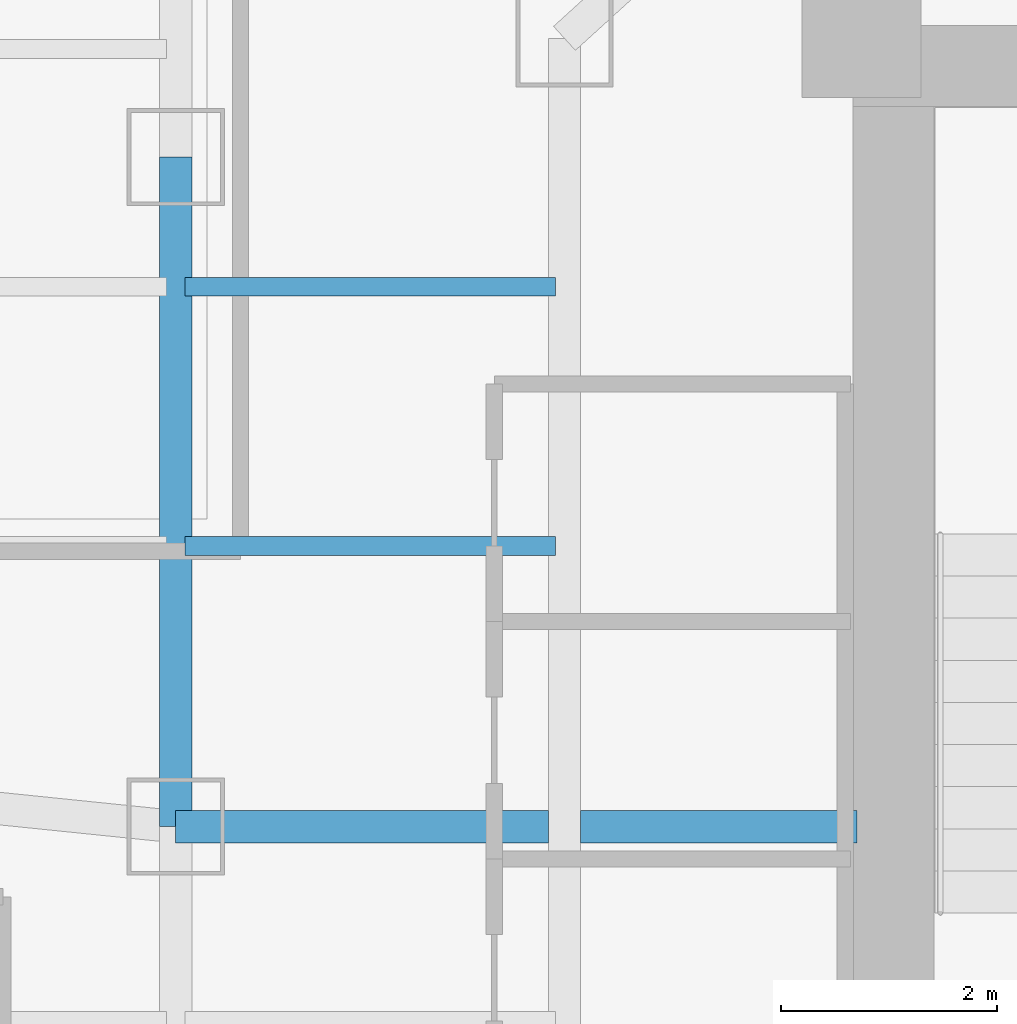
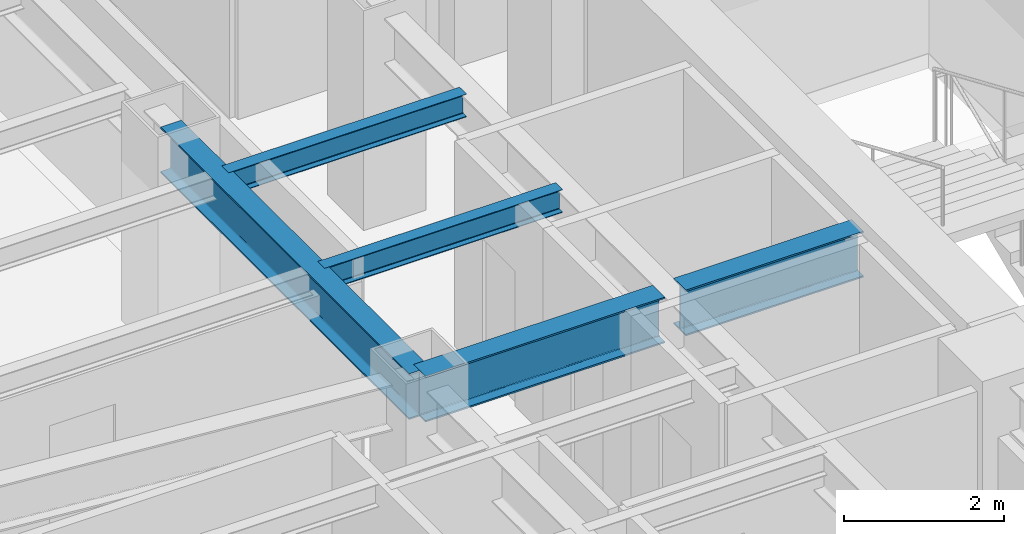
# One storey, part 16 of 31: 5 beams.
"""IFC4 building model written with IfcOpenShell, lengths in metres."""

from ifc_helpers import new_model, si_unit, direction, frame, origin, origin_2d, place, context, subcontext, project, spatial, i_section, extrude, material, material_profile, profile_set, type_object, element, save


model = new_model("IFC4")

# Units and contexts
model_context = context("Model", 3, precision=1e-05, world=origin(), true_north=direction((0.0, 1.0)))
body_context = subcontext(model_context, "Body", "Model", "MODEL_VIEW")
ifc_project = project(units=[si_unit("LENGTHUNIT", "METRE"), si_unit("AREAUNIT", "SQUARE_METRE"), si_unit("VOLUMEUNIT", "CUBIC_METRE"), si_unit("PLANEANGLEUNIT", "RADIAN"), si_unit("MASSUNIT", "GRAM", prefix="KILO")], contexts=[model_context])

# Site, building, storey
site_placement = place(None, origin())
site = spatial("IfcSite", under=ifc_project, at=site_placement, CompositionType="ELEMENT")
building_placement = place(site_placement, origin())
building = spatial("IfcBuilding", under=site, at=building_placement, Name="Hatsunagi Terrace Concourse", CompositionType="ELEMENT")
storey_placement = place(building_placement, frame((0.0, 0.0, 77.949951171875)))
storey = spatial("IfcBuildingStorey", under=building, at=storey_placement, Name="L20", CompositionType="ELEMENT", Elevation=77.949951171875)

# Beams
ifc_material_1 = material(Name="Steel SN490B", Category="steel")
ifc_material_profile_1 = material_profile(ifc_material_1, i_section(OverallWidth=0.300048828125, OverallDepth=0.699951171875, WebThickness=0.012939453125, FlangeThickness=0.02392578125, FilletRadius=0.02197265625, at=origin_2d()), Name="H-700x300x13x24")
ifc_profile_set_1 = profile_set([ifc_material_profile_1], Name="Steel SN490B")
beam_type_1 = type_object("IfcBeamType", Name="HotelFloorGirder_H_700x300", PredefinedType="BEAM", material=ifc_profile_set_1)
beam_1_placement = place(storey_placement, frame((19.199951171875, 36.0, 2.780029296875), z_axis=(0.0, 1.0, 0.0), x_axis=(-1.0, 0.0, 0.0)))
element("IfcBeam", 1, at=beam_1_placement, inside=storey, type_object=beam_type_1, Name="Beam G-04 BM-L20-NS-19-36", PredefinedType="BEAM", context=body_context, shape_type="SweptSolid", body=[
    extrude(i_section(OverallWidth=0.300048828125, OverallDepth=0.699951171875, WebThickness=0.012939453125, FlangeThickness=0.02392578125, FilletRadius=0.02197265625, at=origin_2d()), origin(), (0.0, 0.0, 1.0), 6.199951171875),
])
beam_2_placement = place(storey_placement, frame((19.199951171875, 36.0, 2.780029296875), z_axis=(1.0, 0.0, 0.0), x_axis=(0.0, 1.0, 0.0)))
element("IfcBeam", 2, at=beam_2_placement, inside=storey, type_object=beam_type_1, Name="Beam G-04 BM-L20-EW-3", PredefinedType="BEAM", context=body_context, shape_type="SweptSolid", body=[
    extrude(i_section(OverallWidth=0.300048828125, OverallDepth=0.699951171875, WebThickness=0.012939453125, FlangeThickness=0.02392578125, FilletRadius=0.02197265625, at=origin_2d()), origin(), (0.0, 0.0, 1.0), 3.449951171875),
])
beam_3_placement = place(storey_placement, frame((22.949951171875, 36.0, 2.780029296875), z_axis=(1.0, 0.0, 0.0), x_axis=(0.0, 1.0, 0.0)))
element("IfcBeam", 3, at=beam_3_placement, inside=storey, type_object=beam_type_1, Name="Beam G-04 BM-L20-EW-4", PredefinedType="BEAM", context=body_context, shape_type="SweptSolid", body=[
    extrude(i_section(OverallWidth=0.300048828125, OverallDepth=0.699951171875, WebThickness=0.012939453125, FlangeThickness=0.02392578125, FilletRadius=0.02197265625, at=origin_2d()), origin(), (0.0, 0.0, 1.0), 2.56005859375),
])
ifc_material_2 = material(Name="Steel SN490B", Category="steel")
ifc_material_profile_2 = material_profile(ifc_material_2, i_section(OverallWidth=0.175048828125, OverallDepth=0.35009765625, WebThickness=0.007080078125, FlangeThickness=0.010986328125, FilletRadius=0.012939453125, at=origin_2d()), Name="H-350x175x7x11")
ifc_profile_set_2 = profile_set([ifc_material_profile_2], Name="Steel SN490B")
beam_type_2 = type_object("IfcBeamType", Name="HotelJoist_H_350x175", PredefinedType="JOIST", material=ifc_profile_set_2)
for number, where, z_axis, x_axis, name in (
    (4, (19.284912109375, 38.60009765625, 2.955078125), (1.0, 0.0, 0.0), (0.0, 1.0, 0.0), "Beam J-02 J-L20-W-19-386"),
    (5, (19.284912109375, 41.0, 2.955078125), (1.0, 0.0, 0.0), (0.0, 1.0, 0.0), "Beam J-02 J-L20-W-19-410"),
):
    element("IfcBeam", number, at=place(storey_placement, frame(where, z_axis=z_axis, x_axis=x_axis)), inside=storey, type_object=beam_type_2, Name=name, PredefinedType="JOIST", context=body_context, shape_type="SweptSolid", body=[
        extrude(i_section(OverallWidth=0.175048828125, OverallDepth=0.35009765625, WebThickness=0.007080078125, FlangeThickness=0.010986328125, FilletRadius=0.012939453125, at=origin_2d()), origin(), (0.0, 0.0, 1.0), 3.43017578125),
    ])

save(model, "model.ifc")
